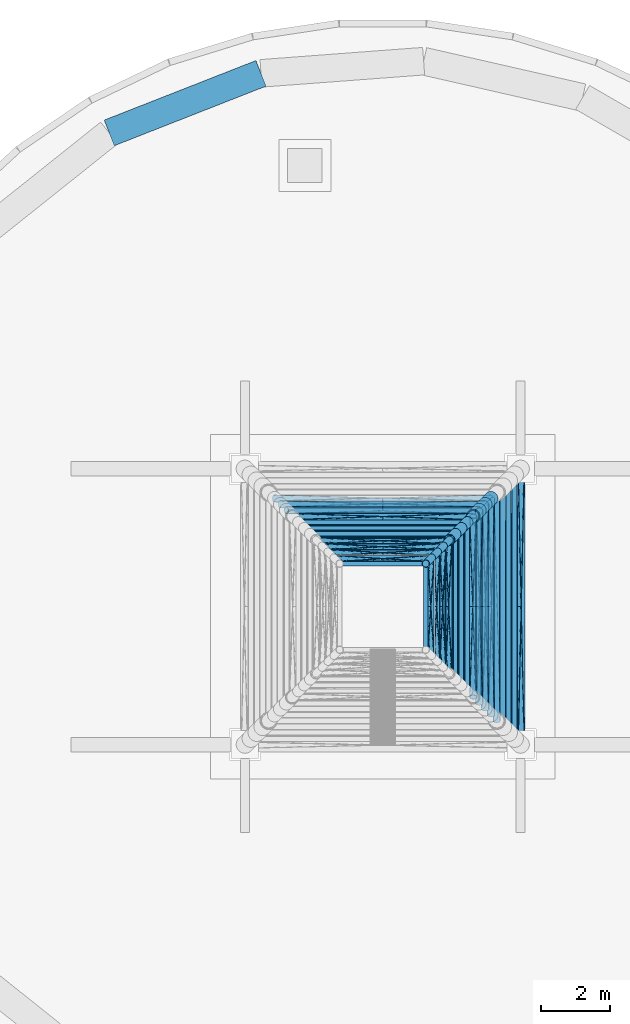
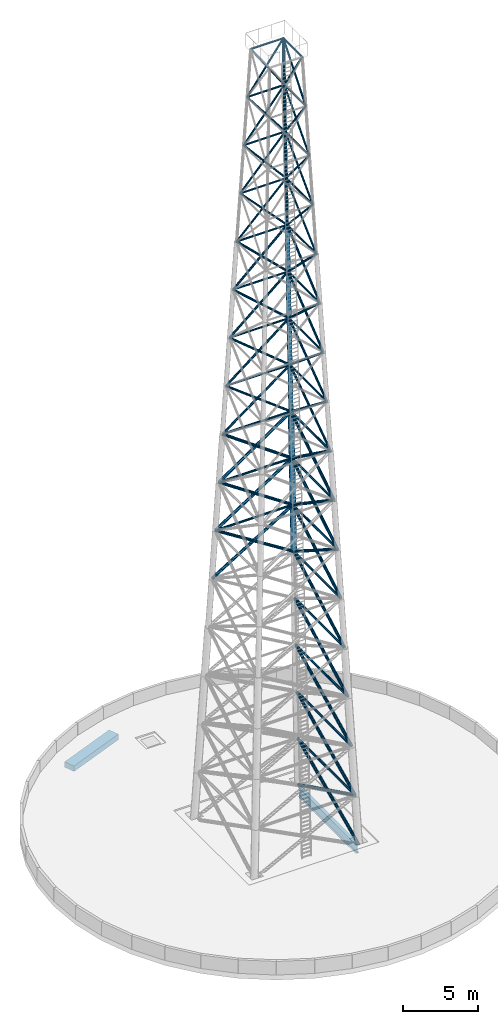
# One storey, part 5 of 9: 88 members, 2 beams.
"""IFC4 building model written with IfcOpenShell, lengths in metres."""

from ifc_helpers import new_model, si_unit, direction, frame, origin, origin_2d, place, context, subcontext, project, spatial, rectangle, hollow_circle, i_section, extrude, material, material_profile, profile_set, type_object, element, save


model = new_model("IFC4")

# Units and contexts
model_context = context("Model", 3, precision=1e-05, world=origin(), true_north=direction((0.0, 1.0)))
body_context = subcontext(model_context, "Body", "Model", "MODEL_VIEW")
ifc_project = project(units=[si_unit("LENGTHUNIT", "METRE"), si_unit("AREAUNIT", "SQUARE_METRE"), si_unit("VOLUMEUNIT", "CUBIC_METRE"), si_unit("PLANEANGLEUNIT", "RADIAN"), si_unit("MASSUNIT", "GRAM", prefix="KILO")], contexts=[model_context])

# Site, building, storey
site_placement = place(None, origin())
site = spatial("IfcSite", under=ifc_project, at=site_placement, CompositionType="ELEMENT")
building_placement = place(site_placement, origin())
building = spatial("IfcBuilding", under=site, at=building_placement, Name="Tracery Tower", CompositionType="ELEMENT")
storey_placement = place(building_placement, frame((0.0, 0.0, 364.199951171875)))
storey = spatial("IfcBuildingStorey", under=building, at=storey_placement, Name="Roof", CompositionType="ELEMENT", Elevation=364.199951171875)

# Members
ifc_material_1 = material(Name="Steel S355", Category="steel")
ifc_material_profile_1 = material_profile(ifc_material_1, hollow_circle(Radius=0.06982421875, WallThickness=0.00634765625, at=origin_2d()), Name="CHS 139.7x6.3")
ifc_profile_set_1 = profile_set([ifc_material_profile_1], Name="Steel S355")
member_type_1 = type_object("IfcMemberType", Name="Mast diagonal MAST CHS 139.7x6.3", PredefinedType="BRACE", material=ifc_profile_set_1)
for number, where, z_axis, x_axis, name in (
    (1, (1.9375, -1.9375, 46.990234375), (-0.031750234141, 0.684073226485, 0.728721993245), (-0.998924630531, -0.046363590447, 0.0), "Mast east face diagonal 13a"),
    (2, (1.9375, 1.9375, 46.990234375), (-0.031750234141, -0.684073226485, 0.728721993245), (0.998924630531, -0.046363590447, 0.0), "Mast east face diagonal 13b"),
    (3, (1.9375, 1.9375, 46.990234375), (-0.684073226485, -0.031750234141, 0.728721993245), (0.046363590447, -0.998924630531, 0.0), "Mast north face diagonal 13a"),
    (4, (-1.9375, 1.9375, 46.990234375), (0.684073226485, -0.031750234141, 0.728721993245), (0.046363590447, 0.998924630531, 0.0), "Mast north face diagonal 13b"),
):
    element("IfcMember", number, at=place(storey_placement, frame(where, z_axis=z_axis, x_axis=x_axis)), inside=storey, type_object=member_type_1, Name=name, PredefinedType="BRACE", context=body_context, shape_type="SweptSolid", body=[
        extrude(hollow_circle(Radius=0.06982421875, WallThickness=0.00634765625, at=origin_2d()), origin(), (0.0, 0.0, 1.0), 5.413330078125),
    ])
for number, where, z_axis, x_axis, name in (
    (5, (1.765625, -1.765625, 50.93505859375), (-0.033152031801, 0.647971530659, 0.760942729936), (-0.998693748329, -0.051095959217, 0.0), "Mast east face diagonal 14a"),
    (6, (1.765625, 1.765625, 50.93505859375), (-0.033152031801, -0.647971530659, 0.760942729936), (0.998693748329, -0.051095959217, 0.0), "Mast east face diagonal 14b"),
    (7, (1.765625, 1.765625, 50.93505859375), (-0.647971530659, -0.033152031801, 0.760942729936), (0.051095959217, -0.998693748329, 0.0), "Mast north face diagonal 14a"),
    (8, (-1.765625, 1.765625, 50.93505859375), (0.647971530659, -0.033152031801, 0.760942729936), (0.051095959217, 0.998693748329, 0.0), "Mast north face diagonal 14b"),
):
    element("IfcMember", number, at=place(storey_placement, frame(where, z_axis=z_axis, x_axis=x_axis)), inside=storey, type_object=member_type_1, Name=name, PredefinedType="BRACE", context=body_context, shape_type="SweptSolid", body=[
        extrude(hollow_circle(Radius=0.06982421875, WallThickness=0.00634765625, at=origin_2d()), origin(), (0.0, 0.0, 1.0), 5.1845703125),
    ])
for number, where, z_axis, x_axis, name in (
    (9, (1.59375, -1.59375, 54.880126953125), (-0.034592159703, 0.606935165704, 0.79399816569), (-0.998379741703, -0.056902472325, 0.0), "Mast east face diagonal 15a"),
    (10, (1.59375, 1.59375, 54.880126953125), (-0.034592159703, -0.606935165704, 0.79399816569), (0.998379741703, -0.056902472325, 0.0), "Mast east face diagonal 15b"),
    (11, (1.59375, 1.59375, 54.880126953125), (-0.606935165704, -0.034592159703, 0.79399816569), (0.056902472325, -0.998379741703, 0.0), "Mast north face diagonal 15a"),
    (12, (-1.59375, 1.59375, 54.880126953125), (0.606935165704, -0.034592159703, 0.79399816569), (0.056902472325, 0.998379741703, 0.0), "Mast north face diagonal 15b"),
):
    element("IfcMember", number, at=place(storey_placement, frame(where, z_axis=z_axis, x_axis=x_axis)), inside=storey, type_object=member_type_1, Name=name, PredefinedType="BRACE", context=body_context, shape_type="SweptSolid", body=[
        extrude(hollow_circle(Radius=0.06982421875, WallThickness=0.00634765625, at=origin_2d()), origin(), (0.0, 0.0, 1.0), 4.968505859375),
    ])
for number, where, z_axis, x_axis, name in (
    (13, (1.421875, -1.421875, 58.8251953125), (-0.036049038288, 0.560398686106, 0.827438081943), (-0.99793738647, -0.064194802638, 0.0), "Mast east face diagonal 16a"),
    (14, (1.421875, 1.421875, 58.8251953125), (-0.036049038288, -0.560398686106, 0.827438081943), (0.99793738647, -0.064194802638, 0.0), "Mast east face diagonal 16b"),
    (15, (1.421875, 1.421875, 58.8251953125), (-0.560398686106, -0.036049038288, 0.827438081943), (0.064194802638, -0.99793738647, 0.0), "Mast north face diagonal 16a"),
    (16, (-1.421875, 1.421875, 58.8251953125), (0.560398686106, -0.036049038288, 0.827438081943), (0.064194802638, 0.99793738647, 0.0), "Mast north face diagonal 16b"),
):
    element("IfcMember", number, at=place(storey_placement, frame(where, z_axis=z_axis, x_axis=x_axis)), inside=storey, type_object=member_type_1, Name=name, PredefinedType="BRACE", context=body_context, shape_type="SweptSolid", body=[
        extrude(hollow_circle(Radius=0.06982421875, WallThickness=0.00634765625, at=origin_2d()), origin(), (0.0, 0.0, 1.0), 4.767822265625),
    ])
ifc_material_2 = material(Name="Steel S355", Category="steel")
ifc_material_profile_2 = material_profile(ifc_material_2, hollow_circle(Radius=0.084228515625, WallThickness=0.008056640625, at=origin_2d()), Name="CHS 168.3x8")
ifc_profile_set_2 = profile_set([ifc_material_profile_2], Name="Steel S355")
member_type_2 = type_object("IfcMemberType", Name="Mast diagonal MAST CHS 168.3x8", PredefinedType="BRACE", material=ifc_profile_set_2)
for number, where, z_axis, x_axis, name in (
    (17, (2.625, -2.625, 31.210205078125), (-0.026719305666, 0.789434031046, 0.61325360931), (-0.999427710583, -0.03382678405, 0.0), "Mast east face diagonal 9a"),
    (18, (2.625, 2.625, 31.210205078125), (-0.026719305666, -0.789434031046, 0.61325360931), (0.999427710583, -0.03382678405, 0.0), "Mast east face diagonal 9b"),
    (19, (2.625, 2.625, 31.210205078125), (-0.789434031046, -0.026719305666, 0.61325360931), (0.03382678405, -0.999427710583, 0.0), "Mast north face diagonal 9a"),
    (20, (-2.625, 2.625, 31.210205078125), (0.789434031046, -0.026719305666, 0.61325360931), (0.03382678405, 0.999427710583, 0.0), "Mast north face diagonal 9b"),
):
    element("IfcMember", number, at=place(storey_placement, frame(where, z_axis=z_axis, x_axis=x_axis)), inside=storey, type_object=member_type_2, Name=name, PredefinedType="BRACE", context=body_context, shape_type="SweptSolid", body=[
        extrude(hollow_circle(Radius=0.084228515625, WallThickness=0.008056640625, at=origin_2d()), origin(), (0.0, 0.0, 1.0), 6.4326171875),
    ])
for number, where, z_axis, x_axis, name in (
    (21, (2.453125, -2.453125, 35.155029296875), (-0.027879087939, 0.767942149583, 0.639912190342), (-0.999341673872, -0.036279730735, 0.0), "Mast east face diagonal 10a"),
    (22, (2.453125, 2.453125, 35.155029296875), (-0.027879087939, -0.767942149583, 0.639912190342), (0.999341673872, -0.036279730735, 0.0), "Mast east face diagonal 10b"),
    (23, (2.453125, 2.453125, 35.155029296875), (-0.767942149583, -0.027879087939, 0.639912190342), (0.036279730735, -0.999341673872, 0.0), "Mast north face diagonal 10a"),
    (24, (-2.453125, 2.453125, 35.155029296875), (0.767942149583, -0.027879087939, 0.639912190342), (0.036279730735, 0.999341673872, 0.0), "Mast north face diagonal 10b"),
):
    element("IfcMember", number, at=place(storey_placement, frame(where, z_axis=z_axis, x_axis=x_axis)), inside=storey, type_object=member_type_2, Name=name, PredefinedType="BRACE", context=body_context, shape_type="SweptSolid", body=[
        extrude(hollow_circle(Radius=0.084228515625, WallThickness=0.008056640625, at=origin_2d()), origin(), (0.0, 0.0, 1.0), 6.1650390625),
    ])
for number, where, z_axis, x_axis, name in (
    (25, (2.28125, -2.28125, 39.10009765625), (-0.029105992984, 0.743525820778, 0.668073495215), (-0.999234678437, -0.039115948266, 0.0), "Mast east face diagonal 11a"),
    (26, (2.28125, 2.28125, 39.10009765625), (-0.029105992984, -0.743525820778, 0.668073495215), (0.999234678437, -0.039115948266, 0.0), "Mast east face diagonal 11b"),
    (27, (2.28125, 2.28125, 39.10009765625), (-0.743525820778, -0.029105992984, 0.668073495215), (0.039115948266, -0.999234678437, 0.0), "Mast north face diagonal 11a"),
    (28, (-2.28125, 2.28125, 39.10009765625), (0.743525820778, -0.029105992984, 0.668073495215), (0.039115948266, 0.999234678437, 0.0), "Mast north face diagonal 11b"),
):
    element("IfcMember", number, at=place(storey_placement, frame(where, z_axis=z_axis, x_axis=x_axis)), inside=storey, type_object=member_type_2, Name=name, PredefinedType="BRACE", context=body_context, shape_type="SweptSolid", body=[
        extrude(hollow_circle(Radius=0.084228515625, WallThickness=0.008056640625, at=origin_2d()), origin(), (0.0, 0.0, 1.0), 5.905029296875),
    ])
for number, where, z_axis, x_axis, name in (
    (29, (2.109375, -2.109375, 43.045166015625), (-0.030397602911, 0.715725377637, 0.697719979321), (-0.999099323566, -0.042432789804, 0.0), "Mast east face diagonal 12a"),
    (30, (2.109375, 2.109375, 43.045166015625), (-0.030397602911, -0.715725377637, 0.697719979321), (0.999099323566, -0.042432789804, 0.0), "Mast east face diagonal 12b"),
    (31, (2.109375, 2.109375, 43.045166015625), (-0.715725377637, -0.030397602911, 0.697719979321), (0.042432789804, -0.999099323566, 0.0), "Mast north face diagonal 12a"),
    (32, (-2.109375, 2.109375, 43.045166015625), (0.715725377637, -0.030397602911, 0.697719979321), (0.042432789804, 0.999099323566, 0.0), "Mast north face diagonal 12b"),
):
    element("IfcMember", number, at=place(storey_placement, frame(where, z_axis=z_axis, x_axis=x_axis)), inside=storey, type_object=member_type_2, Name=name, PredefinedType="BRACE", context=body_context, shape_type="SweptSolid", body=[
        extrude(hollow_circle(Radius=0.084228515625, WallThickness=0.008056640625, at=origin_2d()), origin(), (0.0, 0.0, 1.0), 5.654296875),
    ])
ifc_material_3 = material(Name="Steel S355", Category="steel")
ifc_material_profile_3 = material_profile(ifc_material_3, hollow_circle(Radius=0.109619140625, WallThickness=0.010009765625, at=origin_2d()), Name="CHS 219.1x10")
ifc_profile_set_3 = profile_set([ifc_material_profile_3], Name="Steel S355")
member_type_3 = type_object("IfcMemberType", Name="Mast diagonal MAST CHS 219.1x10", PredefinedType="BRACE", material=ifc_profile_set_3)
for number, where, z_axis, x_axis, name in (
    (33, (4.0, -4.0, -0.349853515625), (-0.019603437678, 0.892847479676, 0.44993230965), (-0.999759052215, -0.021950797554, 0.0), "Mast east face diagonal 1a"),
    (34, (4.0, 4.0, -0.349853515625), (-0.019603437678, -0.892847479676, 0.44993230965), (0.999759052215, -0.021950797554, 0.0), "Mast east face diagonal 1b"),
):
    element("IfcMember", number, at=place(storey_placement, frame(where, z_axis=z_axis, x_axis=x_axis)), inside=storey, type_object=member_type_3, Name=name, PredefinedType="BRACE", context=body_context, shape_type="SweptSolid", body=[
        extrude(hollow_circle(Radius=0.109619140625, WallThickness=0.010009765625, at=origin_2d()), origin(), (0.0, 0.0, 1.0), 8.767578125),
    ])
member_1_placement = place(storey_placement, frame((3.828125, -3.828125, 3.594970703125), z_axis=(-0.020310891396, 0.884446998079, 0.466198429083), x_axis=(-0.999736419902, -0.022958456407, 0.0)))
element("IfcMember", 35, at=member_1_placement, inside=storey, type_object=member_type_3, Name="Mast east face diagonal 2a", PredefinedType="BRACE", context=body_context, shape_type="SweptSolid", body=[
    extrude(hollow_circle(Radius=0.109619140625, WallThickness=0.010009765625, at=origin_2d()), origin(), (0.0, 0.0, 1.0), 8.462158203125),
])
member_2_placement = place(storey_placement, frame((3.65625, -3.65625, 7.5400390625), z_axis=(-0.02106374057, 0.875102676395, 0.483478670263), x_axis=(-0.999710442837, -0.024063052235, 0.0)))
element("IfcMember", 36, at=member_2_placement, inside=storey, type_object=member_type_3, Name="Mast east face diagonal 3a", PredefinedType="BRACE", context=body_context, shape_type="SweptSolid", body=[
    extrude(hollow_circle(Radius=0.109619140625, WallThickness=0.010009765625, at=origin_2d()), origin(), (0.0, 0.0, 1.0), 8.15966796875),
])
member_3_placement = place(storey_placement, frame((3.484375, -3.484375, 11.485107421875), z_axis=(-0.021865440004, 0.864678763798, 0.50184911873), x_axis=(-0.99968042806, -0.025279275192, 0.0)))
element("IfcMember", 37, at=member_3_placement, inside=storey, type_object=member_type_3, Name="Mast east face diagonal 4a", PredefinedType="BRACE", context=body_context, shape_type="SweptSolid", body=[
    extrude(hollow_circle(Radius=0.109619140625, WallThickness=0.010009765625, at=origin_2d()), origin(), (0.0, 0.0, 1.0), 7.860595703125),
])
member_4_placement = place(storey_placement, frame((3.3125, -3.3125, 15.429931640625), z_axis=(-0.022718431719, 0.85297384544, 0.521459003044), x_axis=(-0.999645493434, -0.026624940503, 0.0)))
element("IfcMember", 38, at=member_4_placement, inside=storey, type_object=member_type_3, Name="Mast east face diagonal 5a", PredefinedType="BRACE", context=body_context, shape_type="SweptSolid", body=[
    extrude(hollow_circle(Radius=0.109619140625, WallThickness=0.010009765625, at=origin_2d()), origin(), (0.0, 0.0, 1.0), 7.5654296875),
])
for number, where, z_axis, x_axis, name in (
    (39, (3.140625, -3.140625, 19.375), (-0.023627227978, 0.839840558134, 0.542318717187), (-0.999604502123, -0.028121865789, 0.0), "Mast east face diagonal 6a"),
    (40, (3.140625, 3.140625, 19.375), (-0.023627227978, -0.839840558134, 0.542318717187), (0.999604502123, -0.028121865789, 0.0), "Mast east face diagonal 6b"),
    (41, (3.140625, 3.140625, 19.375), (-0.839840558134, -0.023627227978, 0.542318717187), (0.028121865789, -0.999604502123, 0.0), "Mast north face diagonal 6a"),
    (42, (-3.140625, 3.140625, 19.375), (0.839840558134, -0.023627227978, 0.542318717187), (0.028121865789, 0.999604502123, 0.0), "Mast north face diagonal 6b"),
):
    element("IfcMember", number, at=place(storey_placement, frame(where, z_axis=z_axis, x_axis=x_axis)), inside=storey, type_object=member_type_3, Name=name, PredefinedType="BRACE", context=body_context, shape_type="SweptSolid", body=[
        extrude(hollow_circle(Radius=0.109619140625, WallThickness=0.010009765625, at=origin_2d()), origin(), (0.0, 0.0, 1.0), 7.2744140625),
    ])
for number, where, z_axis, x_axis, name in (
    (43, (2.96875, -2.96875, 23.320068359375), (-0.024594881095, 0.825046465832, 0.56452938014), (-0.999555968984, -0.029797061406, 0.0), "Mast east face diagonal 7a"),
    (44, (2.96875, 2.96875, 23.320068359375), (-0.024594881095, -0.825046465832, 0.56452938014), (0.999555968984, -0.029797061406, 0.0), "Mast east face diagonal 7b"),
    (45, (2.96875, 2.96875, 23.320068359375), (-0.825046465832, -0.024594881095, 0.56452938014), (0.029797061406, -0.999555968984, 0.0), "Mast north face diagonal 7a"),
    (46, (-2.96875, 2.96875, 23.320068359375), (0.825046465832, -0.024594881095, 0.56452938014), (0.029797061406, 0.999555968984, 0.0), "Mast north face diagonal 7b"),
):
    element("IfcMember", number, at=place(storey_placement, frame(where, z_axis=z_axis, x_axis=x_axis)), inside=storey, type_object=member_type_3, Name=name, PredefinedType="BRACE", context=body_context, shape_type="SweptSolid", body=[
        extrude(hollow_circle(Radius=0.109619140625, WallThickness=0.010009765625, at=origin_2d()), origin(), (0.0, 0.0, 1.0), 6.98828125),
    ])
for number, where, z_axis, x_axis, name in (
    (47, (2.796875, -2.796875, 27.26513671875), (-0.025624506867, 0.808336716623, 0.588162509182), (-0.999497924238, -0.031684372238, 0.0), "Mast east face diagonal 8a"),
    (48, (2.796875, 2.796875, 27.26513671875), (-0.025624506867, -0.808336716623, 0.588162509182), (0.999497924238, -0.031684372238, 0.0), "Mast east face diagonal 8b"),
    (49, (2.796875, 2.796875, 27.26513671875), (-0.808336716623, -0.025624506867, 0.588162509182), (0.031684372238, -0.999497924238, 0.0), "Mast north face diagonal 8a"),
    (50, (-2.796875, 2.796875, 27.26513671875), (0.808336716623, -0.025624506867, 0.588162509182), (0.031684372238, 0.999497924238, 0.0), "Mast north face diagonal 8b"),
):
    element("IfcMember", number, at=place(storey_placement, frame(where, z_axis=z_axis, x_axis=x_axis)), inside=storey, type_object=member_type_3, Name=name, PredefinedType="BRACE", context=body_context, shape_type="SweptSolid", body=[
        extrude(hollow_circle(Radius=0.109619140625, WallThickness=0.010009765625, at=origin_2d()), origin(), (0.0, 0.0, 1.0), 6.70751953125),
    ])

# Beam
ifc_material_4 = material(Name="Steel S355", Category="steel")
ifc_material_profile_4 = material_profile(ifc_material_4, i_section(OverallWidth=0.26513671875, OverallDepth=0.75390625, WebThickness=0.0126953125, FlangeThickness=0.017578125, FilletRadius=0.0166015625, at=origin_2d()), Name="UKB 762x267x147")
ifc_profile_set_4 = profile_set([ifc_material_profile_4], Name="Steel S355")
beam_type_1 = type_object("IfcBeamType", Name="Mast grillage cross girder MAST UKB 762x267x147", PredefinedType="BEAM", material=ifc_profile_set_4)
beam_1_placement = place(storey_placement, frame((4.0, -3.839599609375, -0.77685546875), z_axis=(0.0, 1.0, 0.0), x_axis=(-1.0, 0.0, 0.0)))
element("IfcBeam", 51, at=beam_1_placement, inside=storey, type_object=beam_type_1, Name="Mast grillage cross girder 2.2", PredefinedType="BEAM", context=body_context, shape_type="SweptSolid", body=[
    extrude(i_section(OverallWidth=0.26513671875, OverallDepth=0.75390625, WebThickness=0.0126953125, FlangeThickness=0.017578125, FilletRadius=0.0166015625, at=origin_2d()), origin(), (0.0, 0.0, 1.0), 7.67919921875),
])

# Members
ifc_material_5 = material(Name="Steel S355", Category="steel")
ifc_material_profile_5 = material_profile(ifc_material_5, hollow_circle(Radius=0.109619140625, WallThickness=0.010009765625, at=origin_2d()), Name="CHS 219.1x10")
ifc_profile_set_5 = profile_set([ifc_material_profile_5], Name="Steel S355")
member_type_4 = type_object("IfcMemberType", Name="Mast leg MAST CHS 219.1x10", PredefinedType="CHORD", material=ifc_profile_set_5)
member_5_placement = place(storey_placement, frame((1.9375, 1.9375, 46.990234375), z_axis=(-0.043487274046, -0.043487274046, 0.998107065395), x_axis=(0.707106781187, -0.707106781187, 0.0)))
element("IfcMember", 52, at=member_5_placement, inside=storey, type_object=member_type_4, Name="Mast leg 3 panel 13", PredefinedType="CHORD", context=body_context, shape_type="SweptSolid", body=[
    extrude(hollow_circle(Radius=0.109619140625, WallThickness=0.010009765625, at=origin_2d()), origin(), (0.0, 0.0, 1.0), 3.952392578125),
])
for number, where, z_axis, x_axis, name in (
    (53, (1.765625, 1.765625, 50.93505859375), (-0.043484593013, -0.043484593013, 0.998107299012), (0.707106781187, -0.707106781187, 0.0), "Mast leg 3 panel 14"),
    (54, (1.59375, 1.59375, 54.880126953125), (-0.043484593013, -0.043484593013, 0.998107299012), (0.707106781187, -0.707106781187, 0.0), "Mast leg 3 panel 15"),
    (55, (1.421875, 1.421875, 58.8251953125), (-0.043484593013, -0.043484593013, 0.998107299012), (0.707106781187, -0.707106781187, 0.0), "Mast leg 3 panel 16"),
):
    element("IfcMember", number, at=place(storey_placement, frame(where, z_axis=z_axis, x_axis=x_axis)), inside=storey, type_object=member_type_4, Name=name, PredefinedType="CHORD", context=body_context, shape_type="SweptSolid", body=[
        extrude(hollow_circle(Radius=0.109619140625, WallThickness=0.010009765625, at=origin_2d()), origin(), (0.0, 0.0, 1.0), 3.95263671875),
    ])
ifc_material_6 = material(Name="Steel S355", Category="steel")
ifc_material_profile_6 = material_profile(ifc_material_6, hollow_circle(Radius=0.161865234375, WallThickness=0.01611328125, at=origin_2d()), Name="CHS 323.9x16")
ifc_profile_set_6 = profile_set([ifc_material_profile_6], Name="Steel S355")
member_type_5 = type_object("IfcMemberType", Name="Mast leg MAST CHS 323.9x16", PredefinedType="CHORD", material=ifc_profile_set_6)
member_6_placement = place(storey_placement, frame((2.625, 2.625, 31.210205078125), z_axis=(-0.043487274046, -0.043487274046, 0.998107065395), x_axis=(0.707106781187, -0.707106781187, 0.0)))
element("IfcMember", 56, at=member_6_placement, inside=storey, type_object=member_type_5, Name="Mast leg 3 panel 9", PredefinedType="CHORD", context=body_context, shape_type="SweptSolid", body=[
    extrude(hollow_circle(Radius=0.161865234375, WallThickness=0.01611328125, at=origin_2d()), origin(), (0.0, 0.0, 1.0), 3.952392578125),
])
for number, where, z_axis, x_axis, name in (
    (57, (2.453125, 2.453125, 35.155029296875), (-0.043484593013, -0.043484593013, 0.998107299012), (0.707106781187, -0.707106781187, 0.0), "Mast leg 3 panel 10"),
    (58, (2.28125, 2.28125, 39.10009765625), (-0.043484593013, -0.043484593013, 0.998107299012), (0.707106781187, -0.707106781187, 0.0), "Mast leg 3 panel 11"),
    (59, (2.109375, 2.109375, 43.045166015625), (-0.043484593013, -0.043484593013, 0.998107299012), (0.707106781187, -0.707106781187, 0.0), "Mast leg 3 panel 12"),
):
    element("IfcMember", number, at=place(storey_placement, frame(where, z_axis=z_axis, x_axis=x_axis)), inside=storey, type_object=member_type_5, Name=name, PredefinedType="CHORD", context=body_context, shape_type="SweptSolid", body=[
        extrude(hollow_circle(Radius=0.161865234375, WallThickness=0.01611328125, at=origin_2d()), origin(), (0.0, 0.0, 1.0), 3.95263671875),
    ])
ifc_material_7 = material(Name="Steel S355", Category="steel")
ifc_material_profile_7 = material_profile(ifc_material_7, hollow_circle(Radius=0.203125, WallThickness=0.02001953125, at=origin_2d()), Name="CHS 406.4x20")
ifc_profile_set_7 = profile_set([ifc_material_profile_7], Name="Steel S355")
member_type_6 = type_object("IfcMemberType", Name="Mast leg MAST CHS 406.4x20", PredefinedType="CHORD", material=ifc_profile_set_7)
for number, where, z_axis, x_axis, name in (
    (60, (3.140625, 3.140625, 19.375), (-0.043484593013, -0.043484593013, 0.998107299012), (0.707106781187, -0.707106781187, 0.0), "Mast leg 3 panel 6"),
    (61, (2.96875, 2.96875, 23.320068359375), (-0.043484593013, -0.043484593013, 0.998107299012), (0.707106781187, -0.707106781187, 0.0), "Mast leg 3 panel 7"),
    (62, (2.796875, 2.796875, 27.26513671875), (-0.043484593013, -0.043484593013, 0.998107299012), (0.707106781187, -0.707106781187, 0.0), "Mast leg 3 panel 8"),
):
    element("IfcMember", number, at=place(storey_placement, frame(where, z_axis=z_axis, x_axis=x_axis)), inside=storey, type_object=member_type_6, Name=name, PredefinedType="CHORD", context=body_context, shape_type="SweptSolid", body=[
        extrude(hollow_circle(Radius=0.203125, WallThickness=0.02001953125, at=origin_2d()), origin(), (0.0, 0.0, 1.0), 3.95263671875),
    ])
ifc_material_8 = material(Name="Steel S355", Category="steel")
ifc_material_profile_8 = material_profile(ifc_material_8, hollow_circle(Radius=0.06982421875, WallThickness=0.00634765625, at=origin_2d()), Name="CHS 139.7x6.3")
ifc_profile_set_8 = profile_set([ifc_material_profile_8], Name="Steel S355")
member_type_7 = type_object("IfcMemberType", Name="Mast strut MAST CHS 139.7x6.3", PredefinedType="STRUT", material=ifc_profile_set_8)
for number, where, z_axis, x_axis, name in (
    (63, (2.453125, -2.453125, 35.155029296875), (0.0, 1.0, 0.0), (-1.0, 0.0, 0.0), "Mast east face strut 9"),
    (64, (2.453125, 2.453125, 35.155029296875), (-1.0, 0.0, 0.0), (0.0, -1.0, 0.0), "Mast north face strut 9"),
):
    element("IfcMember", number, at=place(storey_placement, frame(where, z_axis=z_axis, x_axis=x_axis)), inside=storey, type_object=member_type_7, Name=name, PredefinedType="STRUT", context=body_context, shape_type="SweptSolid", body=[
        extrude(hollow_circle(Radius=0.06982421875, WallThickness=0.00634765625, at=origin_2d()), origin(), (0.0, 0.0, 1.0), 4.90625),
    ])
for number, where, z_axis, x_axis, name in (
    (65, (2.28125, -2.28125, 39.10009765625), (0.0, 1.0, 0.0), (-1.0, 0.0, 0.0), "Mast east face strut 10"),
    (66, (2.28125, 2.28125, 39.10009765625), (-1.0, 0.0, 0.0), (0.0, -1.0, 0.0), "Mast north face strut 10"),
):
    element("IfcMember", number, at=place(storey_placement, frame(where, z_axis=z_axis, x_axis=x_axis)), inside=storey, type_object=member_type_7, Name=name, PredefinedType="STRUT", context=body_context, shape_type="SweptSolid", body=[
        extrude(hollow_circle(Radius=0.06982421875, WallThickness=0.00634765625, at=origin_2d()), origin(), (0.0, 0.0, 1.0), 4.5625),
    ])
for number, where, z_axis, x_axis, name in (
    (67, (2.109375, -2.109375, 43.045166015625), (0.0, 1.0, 0.0), (-1.0, 0.0, 0.0), "Mast east face strut 11"),
    (68, (2.109375, 2.109375, 43.045166015625), (-1.0, 0.0, 0.0), (0.0, -1.0, 0.0), "Mast north face strut 11"),
):
    element("IfcMember", number, at=place(storey_placement, frame(where, z_axis=z_axis, x_axis=x_axis)), inside=storey, type_object=member_type_7, Name=name, PredefinedType="STRUT", context=body_context, shape_type="SweptSolid", body=[
        extrude(hollow_circle(Radius=0.06982421875, WallThickness=0.00634765625, at=origin_2d()), origin(), (0.0, 0.0, 1.0), 4.21875),
    ])
for number, where, z_axis, x_axis, name in (
    (69, (1.9375, -1.9375, 46.990234375), (0.0, 1.0, 0.0), (-1.0, 0.0, 0.0), "Mast east face strut 12"),
    (70, (1.9375, 1.9375, 46.990234375), (-1.0, 0.0, 0.0), (0.0, -1.0, 0.0), "Mast north face strut 12"),
):
    element("IfcMember", number, at=place(storey_placement, frame(where, z_axis=z_axis, x_axis=x_axis)), inside=storey, type_object=member_type_7, Name=name, PredefinedType="STRUT", context=body_context, shape_type="SweptSolid", body=[
        extrude(hollow_circle(Radius=0.06982421875, WallThickness=0.00634765625, at=origin_2d()), origin(), (0.0, 0.0, 1.0), 3.875),
    ])
for number, where, z_axis, x_axis, name in (
    (71, (1.765625, -1.765625, 50.93505859375), (0.0, 1.0, 0.0), (-1.0, 0.0, 0.0), "Mast east face strut 13"),
    (72, (1.765625, 1.765625, 50.93505859375), (-1.0, 0.0, 0.0), (0.0, -1.0, 0.0), "Mast north face strut 13"),
):
    element("IfcMember", number, at=place(storey_placement, frame(where, z_axis=z_axis, x_axis=x_axis)), inside=storey, type_object=member_type_7, Name=name, PredefinedType="STRUT", context=body_context, shape_type="SweptSolid", body=[
        extrude(hollow_circle(Radius=0.06982421875, WallThickness=0.00634765625, at=origin_2d()), origin(), (0.0, 0.0, 1.0), 3.53125),
    ])
for number, where, z_axis, x_axis, name in (
    (73, (1.59375, -1.59375, 54.880126953125), (0.0, 1.0, 0.0), (-1.0, 0.0, 0.0), "Mast east face strut 14"),
    (74, (1.59375, 1.59375, 54.880126953125), (-1.0, 0.0, 0.0), (0.0, -1.0, 0.0), "Mast north face strut 14"),
):
    element("IfcMember", number, at=place(storey_placement, frame(where, z_axis=z_axis, x_axis=x_axis)), inside=storey, type_object=member_type_7, Name=name, PredefinedType="STRUT", context=body_context, shape_type="SweptSolid", body=[
        extrude(hollow_circle(Radius=0.06982421875, WallThickness=0.00634765625, at=origin_2d()), origin(), (0.0, 0.0, 1.0), 3.1875),
    ])
for number, where, z_axis, x_axis, name in (
    (75, (1.421875, -1.421875, 58.8251953125), (0.0, 1.0, 0.0), (-1.0, 0.0, 0.0), "Mast east face strut 15"),
    (76, (1.421875, 1.421875, 58.8251953125), (-1.0, 0.0, 0.0), (0.0, -1.0, 0.0), "Mast north face strut 15"),
):
    element("IfcMember", number, at=place(storey_placement, frame(where, z_axis=z_axis, x_axis=x_axis)), inside=storey, type_object=member_type_7, Name=name, PredefinedType="STRUT", context=body_context, shape_type="SweptSolid", body=[
        extrude(hollow_circle(Radius=0.06982421875, WallThickness=0.00634765625, at=origin_2d()), origin(), (0.0, 0.0, 1.0), 2.84375),
    ])
for number, where, z_axis, x_axis, name in (
    (77, (1.25, -1.25, 62.770263671875), (0.0, 1.0, 0.0), (-1.0, 0.0, 0.0), "Mast east face strut 16"),
    (78, (1.25, 1.25, 62.770263671875), (-1.0, 0.0, 0.0), (0.0, -1.0, 0.0), "Mast north face strut 16"),
):
    element("IfcMember", number, at=place(storey_placement, frame(where, z_axis=z_axis, x_axis=x_axis)), inside=storey, type_object=member_type_7, Name=name, PredefinedType="STRUT", context=body_context, shape_type="SweptSolid", body=[
        extrude(hollow_circle(Radius=0.06982421875, WallThickness=0.00634765625, at=origin_2d()), origin(), (0.0, 0.0, 1.0), 2.5),
    ])
ifc_material_9 = material(Name="Steel S355", Category="steel")
ifc_material_profile_9 = material_profile(ifc_material_9, hollow_circle(Radius=0.084228515625, WallThickness=0.008056640625, at=origin_2d()), Name="CHS 168.3x8")
ifc_profile_set_9 = profile_set([ifc_material_profile_9], Name="Steel S355")
member_type_8 = type_object("IfcMemberType", Name="Mast strut MAST CHS 168.3x8", PredefinedType="STRUT", material=ifc_profile_set_9)
member_7_placement = place(storey_placement, frame((3.828125, -3.828125, 3.594970703125), z_axis=(0.0, 1.0, 0.0), x_axis=(-1.0, 0.0, 0.0)))
element("IfcMember", 79, at=member_7_placement, inside=storey, type_object=member_type_8, Name="Mast east face strut 1", PredefinedType="STRUT", context=body_context, shape_type="SweptSolid", body=[
    extrude(hollow_circle(Radius=0.084228515625, WallThickness=0.008056640625, at=origin_2d()), origin(), (0.0, 0.0, 1.0), 7.65625),
])
member_8_placement = place(storey_placement, frame((3.65625, -3.65625, 7.5400390625), z_axis=(0.0, 1.0, 0.0), x_axis=(-1.0, 0.0, 0.0)))
element("IfcMember", 80, at=member_8_placement, inside=storey, type_object=member_type_8, Name="Mast east face strut 2", PredefinedType="STRUT", context=body_context, shape_type="SweptSolid", body=[
    extrude(hollow_circle(Radius=0.084228515625, WallThickness=0.008056640625, at=origin_2d()), origin(), (0.0, 0.0, 1.0), 7.3125),
])
member_9_placement = place(storey_placement, frame((3.484375, -3.484375, 11.485107421875), z_axis=(0.0, 1.0, 0.0), x_axis=(-1.0, 0.0, 0.0)))
element("IfcMember", 81, at=member_9_placement, inside=storey, type_object=member_type_8, Name="Mast east face strut 3", PredefinedType="STRUT", context=body_context, shape_type="SweptSolid", body=[
    extrude(hollow_circle(Radius=0.084228515625, WallThickness=0.008056640625, at=origin_2d()), origin(), (0.0, 0.0, 1.0), 6.96875),
])
member_10_placement = place(storey_placement, frame((3.3125, -3.3125, 15.429931640625), z_axis=(0.0, 1.0, 0.0), x_axis=(-1.0, 0.0, 0.0)))
element("IfcMember", 82, at=member_10_placement, inside=storey, type_object=member_type_8, Name="Mast east face strut 4", PredefinedType="STRUT", context=body_context, shape_type="SweptSolid", body=[
    extrude(hollow_circle(Radius=0.084228515625, WallThickness=0.008056640625, at=origin_2d()), origin(), (0.0, 0.0, 1.0), 6.625),
])
member_11_placement = place(storey_placement, frame((3.140625, -3.140625, 19.375), z_axis=(0.0, 1.0, 0.0), x_axis=(-1.0, 0.0, 0.0)))
element("IfcMember", 83, at=member_11_placement, inside=storey, type_object=member_type_8, Name="Mast east face strut 5", PredefinedType="STRUT", context=body_context, shape_type="SweptSolid", body=[
    extrude(hollow_circle(Radius=0.084228515625, WallThickness=0.008056640625, at=origin_2d()), origin(), (0.0, 0.0, 1.0), 6.28125),
])
for number, where, z_axis, x_axis, name in (
    (84, (2.96875, -2.96875, 23.320068359375), (0.0, 1.0, 0.0), (-1.0, 0.0, 0.0), "Mast east face strut 6"),
    (85, (2.96875, 2.96875, 23.320068359375), (-1.0, 0.0, 0.0), (0.0, -1.0, 0.0), "Mast north face strut 6"),
):
    element("IfcMember", number, at=place(storey_placement, frame(where, z_axis=z_axis, x_axis=x_axis)), inside=storey, type_object=member_type_8, Name=name, PredefinedType="STRUT", context=body_context, shape_type="SweptSolid", body=[
        extrude(hollow_circle(Radius=0.084228515625, WallThickness=0.008056640625, at=origin_2d()), origin(), (0.0, 0.0, 1.0), 5.9375),
    ])
for number, where, z_axis, x_axis, name in (
    (86, (2.796875, -2.796875, 27.26513671875), (0.0, 1.0, 0.0), (-1.0, 0.0, 0.0), "Mast east face strut 7"),
    (87, (2.796875, 2.796875, 27.26513671875), (-1.0, 0.0, 0.0), (0.0, -1.0, 0.0), "Mast north face strut 7"),
):
    element("IfcMember", number, at=place(storey_placement, frame(where, z_axis=z_axis, x_axis=x_axis)), inside=storey, type_object=member_type_8, Name=name, PredefinedType="STRUT", context=body_context, shape_type="SweptSolid", body=[
        extrude(hollow_circle(Radius=0.084228515625, WallThickness=0.008056640625, at=origin_2d()), origin(), (0.0, 0.0, 1.0), 5.59375),
    ])
for number, where, z_axis, x_axis, name in (
    (88, (2.625, -2.625, 31.210205078125), (0.0, 1.0, 0.0), (-1.0, 0.0, 0.0), "Mast east face strut 8"),
    (89, (2.625, 2.625, 31.210205078125), (-1.0, 0.0, 0.0), (0.0, -1.0, 0.0), "Mast north face strut 8"),
):
    element("IfcMember", number, at=place(storey_placement, frame(where, z_axis=z_axis, x_axis=x_axis)), inside=storey, type_object=member_type_8, Name=name, PredefinedType="STRUT", context=body_context, shape_type="SweptSolid", body=[
        extrude(hollow_circle(Radius=0.084228515625, WallThickness=0.008056640625, at=origin_2d()), origin(), (0.0, 0.0, 1.0), 5.25),
    ])

# Beam
ifc_material_10 = material(Name="Concrete C40/50", Category="concrete")
ifc_material_profile_10 = material_profile(ifc_material_10, rectangle(XDim=0.800048828125, YDim=0.449951171875, at=origin_2d()), Name="RC 800x450")
ifc_profile_set_10 = profile_set([ifc_material_profile_10], Name="Concrete C40/50")
beam_type_2 = type_object("IfcBeamType", Name="Perimeter band beam 800x450 under 400 slab", PredefinedType="BEAM", material=ifc_profile_set_10)
beam_2_placement = place(storey_placement, frame((-3.532470703125, 15.476318359375, -0.625), z_axis=(-0.930866215869, -0.365360216982, 0.0), x_axis=(0.365360216982, -0.930866215869, 0.0)))
element("IfcBeam", 90, at=beam_2_placement, inside=storey, type_object=beam_type_2, Name="Perimeter beam 2.06 under Roof", PredefinedType="BEAM", context=body_context, shape_type="SweptSolid", body=[
    extrude(rectangle(XDim=0.800048828125, YDim=0.449951171875, at=origin_2d()), origin(), (0.0, 0.0, 1.0), 4.731689453125),
])

save(model, "model.ifc")
